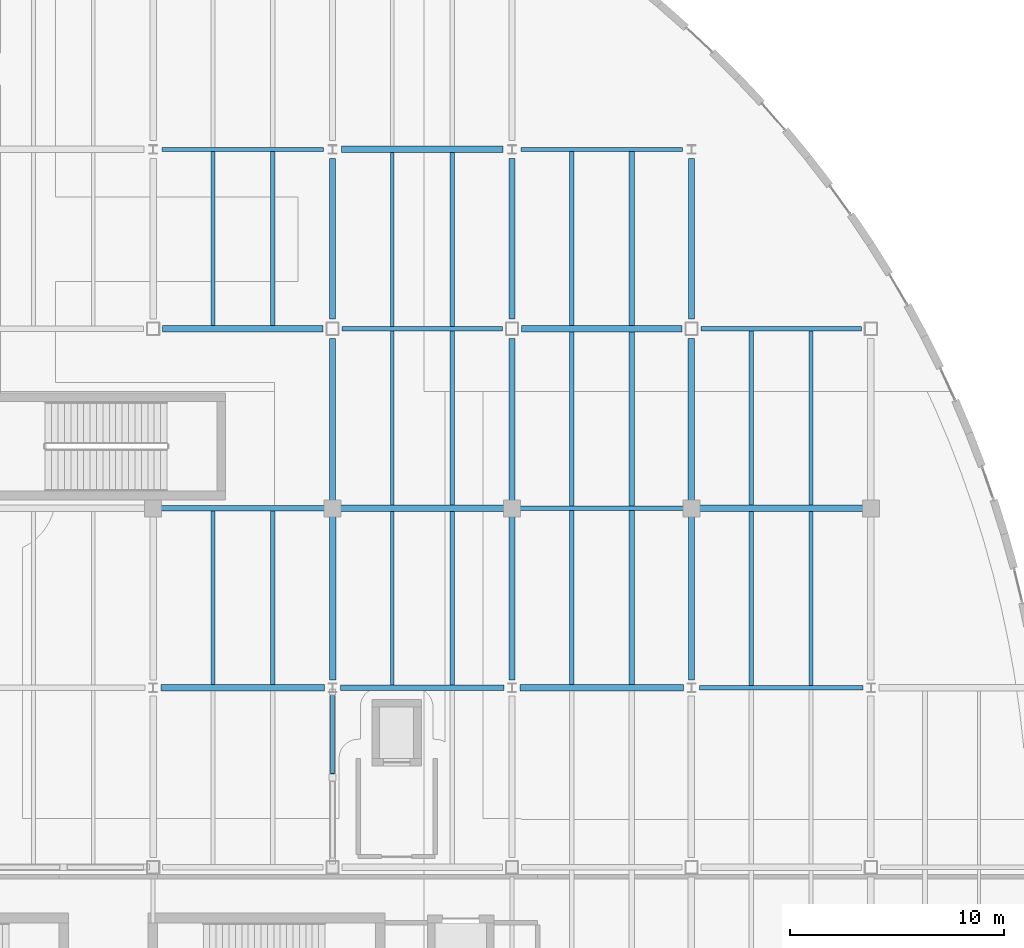
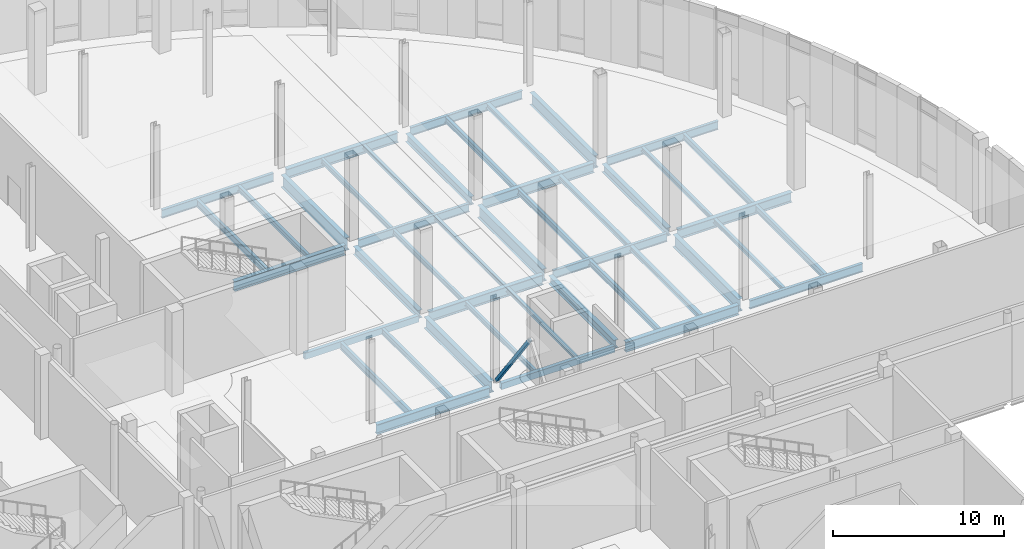
# One storey, part 30 of 85: 44 beams, 1 member.
"""IFC4 building model written with IfcOpenShell, lengths in metres."""

from ifc_helpers import new_model, si_unit, direction, frame, origin, origin_2d, place, context, subcontext, project, spatial, hollow_rectangle, i_section, extrude, material, material_profile, profile_set, type_object, element, save


model = new_model("IFC4")

# Units and contexts
model_context = context("Model", 3, precision=1e-05, world=origin(), true_north=direction((0.0, 1.0)))
body_context = subcontext(model_context, "Body", "Model", "MODEL_VIEW")
ifc_project = project(units=[si_unit("LENGTHUNIT", "METRE"), si_unit("AREAUNIT", "SQUARE_METRE"), si_unit("VOLUMEUNIT", "CUBIC_METRE"), si_unit("PLANEANGLEUNIT", "RADIAN"), si_unit("MASSUNIT", "GRAM", prefix="KILO"), si_unit("THERMODYNAMICTEMPERATUREUNIT", "KELVIN")], contexts=[model_context])

# Site, building, storey
site_placement = place(None, origin())
site = spatial("IfcSite", under=ifc_project, at=site_placement, CompositionType="ELEMENT")
building_placement = place(site_placement, origin())
building = spatial("IfcBuilding", under=site, at=building_placement, Name="Lustrewick Department Store", CompositionType="ELEMENT")
storey_placement = place(building_placement, origin())
storey = spatial("IfcBuildingStorey", under=building, at=storey_placement, Name="L01", CompositionType="ELEMENT", Elevation=0.0)

# Beams
ifc_material_1 = material(Name="Structural steel Q355B", Category="steel")
ifc_material_profile_1 = material_profile(ifc_material_1, i_section(OverallWidth=0.199951171875, OverallDepth=0.5, WebThickness=0.010009765625, FlangeThickness=0.01611328125, FilletRadius=0.01611328125, at=origin_2d()), Name="HN 500x200x10x16")
ifc_profile_set_1 = profile_set([ifc_material_profile_1], Name="Structural steel Q355B")
beam_type_1 = type_object("IfcBeamType", Name="B01", PredefinedType="JOIST", material=ifc_profile_set_1)
beam_1_placement = place(storey_placement, frame((128.800048828125, 67.35107421875, -0.52001953125), z_axis=(0.0, 1.0, 0.0), x_axis=(-1.0, 0.0, 0.0)))
element("IfcBeam", 1, at=beam_1_placement, inside=storey, type_object=beam_type_1, Name="L01 V4 Secondary Joist B01", PredefinedType="JOIST", context=body_context, shape_type="SweptSolid", body=[
    extrude(i_section(OverallWidth=0.199951171875, OverallDepth=0.5, WebThickness=0.010009765625, FlangeThickness=0.01611328125, FilletRadius=0.01611328125, at=origin_2d()), origin(), (0.0, 0.0, 1.0), 8.1240234375),
])
beam_2_placement = place(storey_placement, frame((128.800048828125, 84.15087890625, -0.52001953125), z_axis=(0.0, 1.0, 0.0), x_axis=(-1.0, 0.0, 0.0)))
element("IfcBeam", 2, at=beam_2_placement, inside=storey, type_object=beam_type_1, Name="L01 V4 Secondary Joist B01", PredefinedType="JOIST", context=body_context, shape_type="SweptSolid", body=[
    extrude(i_section(OverallWidth=0.199951171875, OverallDepth=0.5, WebThickness=0.010009765625, FlangeThickness=0.01611328125, FilletRadius=0.01611328125, at=origin_2d()), origin(), (0.0, 0.0, 1.0), 8.149658203125),
])
ifc_material_profile_2 = material_profile(ifc_material_1, i_section(OverallWidth=0.198974609375, OverallDepth=0.446044921875, WebThickness=0.008056640625, FlangeThickness=0.011962890625, FilletRadius=0.01611328125, at=origin_2d()), Name="HN 446x199x8x12")
ifc_profile_set_2 = profile_set([ifc_material_profile_2], Name="Structural steel Q355B")
beam_type_2 = type_object("IfcBeamType", Name="B04", PredefinedType="JOIST", material=ifc_profile_set_2)
for number, where, z_axis, x_axis, name in (
    (3, (156.800048828125, 67.299560546875, -0.492919921875), (0.0, 1.0, 0.0), (-1.0, 0.0, 0.0), "L01 V4 Secondary Joist B04"),
    (4, (156.800048828125, 75.7509765625, -0.492919921875), (0.0, 1.0, 0.0), (-1.0, 0.0, 0.0), "L01 V4 Secondary Joist B04"),
):
    element("IfcBeam", number, at=place(storey_placement, frame(where, z_axis=z_axis, x_axis=x_axis)), inside=storey, type_object=beam_type_2, Name=name, PredefinedType="JOIST", context=body_context, shape_type="SweptSolid", body=[
        extrude(i_section(OverallWidth=0.198974609375, OverallDepth=0.446044921875, WebThickness=0.008056640625, FlangeThickness=0.011962890625, FilletRadius=0.01611328125, at=origin_2d()), origin(), (0.0, 0.0, 1.0), 8.1494140625),
    ])
ifc_material_profile_3 = material_profile(ifc_material_1, i_section(OverallWidth=0.199951171875, OverallDepth=0.39990234375, WebThickness=0.008056640625, FlangeThickness=0.012939453125, FilletRadius=0.013916015625, at=origin_2d()), Name="HN 400x200x8x13")
ifc_profile_set_3 = profile_set([ifc_material_profile_3], Name="Structural steel Q355B")
beam_type_3 = type_object("IfcBeamType", Name="B05", PredefinedType="JOIST", material=ifc_profile_set_3)
beam_3_placement = place(storey_placement, frame((131.60009765625, 67.35107421875, -0.469970703125), z_axis=(0.0, 1.0, 0.0), x_axis=(-1.0, 0.0, 0.0)))
element("IfcBeam", 5, at=beam_3_placement, inside=storey, type_object=beam_type_3, Name="L01 V4 Secondary Joist B05", PredefinedType="JOIST", context=body_context, shape_type="SweptSolid", body=[
    extrude(i_section(OverallWidth=0.199951171875, OverallDepth=0.39990234375, WebThickness=0.008056640625, FlangeThickness=0.012939453125, FilletRadius=0.013916015625, at=origin_2d()), origin(), (0.0, 0.0, 1.0), 8.1240234375),
])
beam_4_placement = place(storey_placement, frame((145.60009765625, 67.35107421875, -0.469970703125), z_axis=(0.0, 1.0, 0.0), x_axis=(-1.0, 0.0, 0.0)))
element("IfcBeam", 6, at=beam_4_placement, inside=storey, type_object=beam_type_3, Name="L01 V4 Secondary Joist B05", PredefinedType="JOIST", context=body_context, shape_type="SweptSolid", body=[
    extrude(i_section(OverallWidth=0.199951171875, OverallDepth=0.39990234375, WebThickness=0.008056640625, FlangeThickness=0.012939453125, FilletRadius=0.013916015625, at=origin_2d()), origin(), (0.0, 0.0, 1.0), 8.1494140625),
])
for number, where, z_axis, x_axis, name in (
    (7, (145.60009765625, 75.699462890625, -0.469970703125), (0.0, 1.0, 0.0), (-1.0, 0.0, 0.0), "L01 V4 Secondary Joist B05"),
    (8, (131.60009765625, 84.15087890625, -0.469970703125), (0.0, 1.0, 0.0), (-1.0, 0.0, 0.0), "L01 V4 Secondary Joist B05"),
    (9, (145.60009765625, 84.15087890625, -0.469970703125), (0.0, 1.0, 0.0), (-1.0, 0.0, 0.0), "L01 V4 Secondary Joist B05"),
):
    element("IfcBeam", number, at=place(storey_placement, frame(where, z_axis=z_axis, x_axis=x_axis)), inside=storey, type_object=beam_type_3, Name=name, PredefinedType="JOIST", context=body_context, shape_type="SweptSolid", body=[
        extrude(i_section(OverallWidth=0.199951171875, OverallDepth=0.39990234375, WebThickness=0.008056640625, FlangeThickness=0.012939453125, FilletRadius=0.013916015625, at=origin_2d()), origin(), (0.0, 0.0, 1.0), 8.149658203125),
    ])
ifc_material_profile_4 = material_profile(ifc_material_1, i_section(OverallWidth=0.25, OverallDepth=0.340087890625, WebThickness=0.009033203125, FlangeThickness=0.013916015625, FilletRadius=0.01611328125, at=origin_2d()), Name="HM 340x250x9x14")
ifc_profile_set_4 = profile_set([ifc_material_profile_4], Name="Structural steel Q355B")
beam_type_4 = type_object("IfcBeamType", Name="B08", PredefinedType="JOIST", material=ifc_profile_set_4)
beam_5_placement = place(storey_placement, frame((148.39990234375, 67.35107421875, -0.43994140625), z_axis=(0.0, 1.0, 0.0), x_axis=(-1.0, 0.0, 0.0)))
element("IfcBeam", 10, at=beam_5_placement, inside=storey, type_object=beam_type_4, Name="L01 V4 Secondary Joist B08", PredefinedType="JOIST", context=body_context, shape_type="SweptSolid", body=[
    extrude(i_section(OverallWidth=0.25, OverallDepth=0.340087890625, WebThickness=0.009033203125, FlangeThickness=0.013916015625, FilletRadius=0.01611328125, at=origin_2d()), origin(), (0.0, 0.0, 1.0), 8.1494140625),
])
for number, where, z_axis, x_axis, name in (
    (11, (148.39990234375, 75.699462890625, -0.43994140625), (0.0, 1.0, 0.0), (-1.0, 0.0, 0.0), "L01 V4 Secondary Joist B08"),
    (12, (148.39990234375, 84.15087890625, -0.43994140625), (0.0, 1.0, 0.0), (-1.0, 0.0, 0.0), "L01 V4 Secondary Joist B08"),
):
    element("IfcBeam", number, at=place(storey_placement, frame(where, z_axis=z_axis, x_axis=x_axis)), inside=storey, type_object=beam_type_4, Name=name, PredefinedType="JOIST", context=body_context, shape_type="SweptSolid", body=[
        extrude(i_section(OverallWidth=0.25, OverallDepth=0.340087890625, WebThickness=0.009033203125, FlangeThickness=0.013916015625, FilletRadius=0.01611328125, at=origin_2d()), origin(), (0.0, 0.0, 1.0), 8.149658203125),
    ])
ifc_material_profile_5 = material_profile(ifc_material_1, i_section(OverallWidth=0.175048828125, OverallDepth=0.35009765625, WebThickness=0.007080078125, FlangeThickness=0.010986328125, FilletRadius=0.012939453125, at=origin_2d()), Name="HN 350x175x7x11")
ifc_profile_set_5 = profile_set([ifc_material_profile_5], Name="Structural steel Q355B")
beam_type_5 = type_object("IfcBeamType", Name="B09", PredefinedType="JOIST", material=ifc_profile_set_5)
beam_6_placement = place(storey_placement, frame((137.199951171875, 67.324951171875, -0.445068359375), z_axis=(0.0, 1.0, 0.0), x_axis=(-1.0, 0.0, 0.0)))
element("IfcBeam", 13, at=beam_6_placement, inside=storey, type_object=beam_type_5, Name="L01 V4 Secondary Joist B09", PredefinedType="JOIST", context=body_context, shape_type="SweptSolid", body=[
    extrude(i_section(OverallWidth=0.175048828125, OverallDepth=0.35009765625, WebThickness=0.007080078125, FlangeThickness=0.010986328125, FilletRadius=0.012939453125, at=origin_2d()), origin(), (0.0, 0.0, 1.0), 8.1240234375),
])
for number, where, z_axis, x_axis, name in (
    (14, (137.199951171875, 75.7509765625, -0.445068359375), (0.0, 1.0, 0.0), (-1.0, 0.0, 0.0), "L01 V4 Secondary Joist B09"),
    (15, (137.199951171875, 84.099609375, -0.445068359375), (0.0, 1.0, 0.0), (-1.0, 0.0, 0.0), "L01 V4 Secondary Joist B09"),
):
    element("IfcBeam", number, at=place(storey_placement, frame(where, z_axis=z_axis, x_axis=x_axis)), inside=storey, type_object=beam_type_5, Name=name, PredefinedType="JOIST", context=body_context, shape_type="SweptSolid", body=[
        extrude(i_section(OverallWidth=0.175048828125, OverallDepth=0.35009765625, WebThickness=0.007080078125, FlangeThickness=0.010986328125, FilletRadius=0.012939453125, at=origin_2d()), origin(), (0.0, 0.0, 1.0), 8.1494140625),
    ])
ifc_material_profile_6 = material_profile(ifc_material_1, i_section(OverallWidth=0.199951171875, OverallDepth=0.2939453125, WebThickness=0.008056640625, FlangeThickness=0.011962890625, FilletRadius=0.013916015625, at=origin_2d()), Name="HM 294x200x8x12")
ifc_profile_set_6 = profile_set([ifc_material_profile_6], Name="Structural steel Q355B")
beam_type_6 = type_object("IfcBeamType", Name="B13", PredefinedType="JOIST", material=ifc_profile_set_6)
beam_7_placement = place(storey_placement, frame((140.0, 67.324951171875, -0.4169921875), z_axis=(0.0, 1.0, 0.0), x_axis=(-1.0, 0.0, 0.0)))
element("IfcBeam", 16, at=beam_7_placement, inside=storey, type_object=beam_type_6, Name="L01 V4 Secondary Joist B13", PredefinedType="JOIST", context=body_context, shape_type="SweptSolid", body=[
    extrude(i_section(OverallWidth=0.199951171875, OverallDepth=0.2939453125, WebThickness=0.008056640625, FlangeThickness=0.011962890625, FilletRadius=0.013916015625, at=origin_2d()), origin(), (0.0, 0.0, 1.0), 8.1240234375),
])
for number, where, z_axis, x_axis, name in (
    (17, (154.0, 67.299560546875, -0.4169921875), (0.0, 1.0, 0.0), (-1.0, 0.0, 0.0), "L01 V4 Secondary Joist B13"),
    (18, (140.0, 75.7509765625, -0.4169921875), (0.0, 1.0, 0.0), (-1.0, 0.0, 0.0), "L01 V4 Secondary Joist B13"),
    (19, (154.0, 75.7509765625, -0.4169921875), (0.0, 1.0, 0.0), (-1.0, 0.0, 0.0), "L01 V4 Secondary Joist B13"),
    (20, (140.0, 84.099609375, -0.4169921875), (0.0, 1.0, 0.0), (-1.0, 0.0, 0.0), "L01 V4 Secondary Joist B13"),
):
    element("IfcBeam", number, at=place(storey_placement, frame(where, z_axis=z_axis, x_axis=x_axis)), inside=storey, type_object=beam_type_6, Name=name, PredefinedType="JOIST", context=body_context, shape_type="SweptSolid", body=[
        extrude(i_section(OverallWidth=0.199951171875, OverallDepth=0.2939453125, WebThickness=0.008056640625, FlangeThickness=0.011962890625, FilletRadius=0.013916015625, at=origin_2d()), origin(), (0.0, 0.0, 1.0), 8.1494140625),
    ])

# Member
ifc_material_profile_7 = material_profile(ifc_material_1, hollow_rectangle(XDim=0.199951171875, YDim=0.199951171875, WallThickness=0.010009765625, at=origin_2d()), Name="SHS 200x200x10")
ifc_profile_set_7 = profile_set([ifc_material_profile_7], Name="Structural steel Q355B")
member_type = type_object("IfcMemberType", Name="BR09", PredefinedType="BRACE", material=ifc_profile_set_7)
member_placement = place(storey_placement, frame((134.39990234375, 67.0, 0.14990234375), z_axis=(0.0, -0.596671928583, 0.802485270669), x_axis=(1.0, 0.0, 0.0)))
element("IfcMember", 21, at=member_placement, inside=storey, type_object=member_type, Name="L01 V4 Chevron Brace BR09", PredefinedType="BRACE", context=body_context, shape_type="SweptSolid", body=[
    extrude(hollow_rectangle(XDim=0.199951171875, YDim=0.199951171875, WallThickness=0.010009765625, at=origin_2d()), origin(), (0.0, 0.0, 1.0), 6.5361328125),
])

# Beams
ifc_material_2 = material(Name="Structural steel Q355C", Category="steel")
ifc_material_profile_8 = material_profile(ifc_material_2, i_section(OverallWidth=0.299072265625, OverallDepth=0.889892578125, WebThickness=0.014892578125, FlangeThickness=0.02294921875, FilletRadius=0.02392578125, at=origin_2d()), Name="HN 890x299x15x23")
ifc_profile_set_8 = profile_set([ifc_material_profile_8], Name="Structural steel Q355C")
beam_type_7 = type_object("IfcBeamType", Name="G03", PredefinedType="BEAM", material=ifc_profile_set_8)
beam_8_placement = place(storey_placement, frame((134.39990234375, 84.449951171875, -0.715087890625), z_axis=(0.0, 1.0, 0.0), x_axis=(-1.0, 0.0, 0.0)))
element("IfcBeam", 22, at=beam_8_placement, inside=storey, type_object=beam_type_7, Name="L01 V4 Girder G03", PredefinedType="BEAM", context=body_context, shape_type="SweptSolid", body=[
    extrude(i_section(OverallWidth=0.299072265625, OverallDepth=0.889892578125, WebThickness=0.014892578125, FlangeThickness=0.02294921875, FilletRadius=0.02392578125, at=origin_2d()), origin(), (0.0, 0.0, 1.0), 7.525146484375),
])
beam_9_placement = place(storey_placement, frame((142.800048828125, 75.949951171875, -0.715087890625), z_axis=(0.0, 1.0, 0.0), x_axis=(-1.0, 0.0, 0.0)))
element("IfcBeam", 23, at=beam_9_placement, inside=storey, type_object=beam_type_7, Name="L01 V4 Girder G03", PredefinedType="BEAM", context=body_context, shape_type="SweptSolid", body=[
    extrude(i_section(OverallWidth=0.299072265625, OverallDepth=0.889892578125, WebThickness=0.014892578125, FlangeThickness=0.02294921875, FilletRadius=0.02392578125, at=origin_2d()), origin(), (0.0, 0.0, 1.0), 7.60009765625),
])
beam_10_placement = place(storey_placement, frame((151.199951171875, 67.574951171875, -0.715087890625), z_axis=(0.0, 1.0, 0.0), x_axis=(-1.0, 0.0, 0.0)))
element("IfcBeam", 24, at=beam_10_placement, inside=storey, type_object=beam_type_7, Name="L01 V4 Girder G03", PredefinedType="BEAM", context=body_context, shape_type="SweptSolid", body=[
    extrude(i_section(OverallWidth=0.299072265625, OverallDepth=0.889892578125, WebThickness=0.014892578125, FlangeThickness=0.02294921875, FilletRadius=0.02392578125, at=origin_2d()), origin(), (0.0, 0.0, 1.0), 7.675048828125),
])
beam_11_placement = place(storey_placement, frame((151.199951171875, 84.449951171875, -0.715087890625), z_axis=(0.0, 1.0, 0.0), x_axis=(-1.0, 0.0, 0.0)))
element("IfcBeam", 25, at=beam_11_placement, inside=storey, type_object=beam_type_7, Name="L01 V4 Girder G03", PredefinedType="BEAM", context=body_context, shape_type="SweptSolid", body=[
    extrude(i_section(OverallWidth=0.299072265625, OverallDepth=0.889892578125, WebThickness=0.014892578125, FlangeThickness=0.02294921875, FilletRadius=0.02392578125, at=origin_2d()), origin(), (0.0, 0.0, 1.0), 7.525146484375),
])
ifc_material_profile_9 = material_profile(ifc_material_2, i_section(OverallWidth=0.302001953125, OverallDepth=0.80810546875, WebThickness=0.01611328125, FlangeThickness=0.030029296875, FilletRadius=0.02197265625, at=origin_2d()), Name="HN 808x302x16x30")
ifc_profile_set_9 = profile_set([ifc_material_profile_9], Name="Structural steel Q355C")
beam_type_8 = type_object("IfcBeamType", Name="G04", PredefinedType="BEAM", material=ifc_profile_set_9)
beam_12_placement = place(storey_placement, frame((134.39990234375, 67.574951171875, -0.674072265625), z_axis=(0.0, 1.0, 0.0), x_axis=(-1.0, 0.0, 0.0)))
element("IfcBeam", 26, at=beam_12_placement, inside=storey, type_object=beam_type_8, Name="L01 V4 Girder G04", PredefinedType="BEAM", context=body_context, shape_type="SweptSolid", body=[
    extrude(i_section(OverallWidth=0.302001953125, OverallDepth=0.80810546875, WebThickness=0.01611328125, FlangeThickness=0.030029296875, FilletRadius=0.02197265625, at=origin_2d()), origin(), (0.0, 0.0, 1.0), 7.675048828125),
])
ifc_material_profile_10 = material_profile(ifc_material_2, i_section(OverallWidth=0.302001953125, OverallDepth=0.7080078125, WebThickness=0.014892578125, FlangeThickness=0.028076171875, FilletRadius=0.02001953125, at=origin_2d()), Name="HN 708x302x15x28")
ifc_profile_set_10 = profile_set([ifc_material_profile_10], Name="Structural steel Q355C")
beam_type_9 = type_object("IfcBeamType", Name="G07", PredefinedType="BEAM", material=ifc_profile_set_10)
for number, where, z_axis, x_axis, name in (
    (27, (126.375, 67.199951171875, -0.6240234375), (1.0, 0.0, 0.0), (0.0, 1.0, 0.0), "L01 V4 Girder G07"),
    (28, (143.175048828125, 67.199951171875, -0.6240234375), (1.0, 0.0, 0.0), (0.0, 1.0, 0.0), "L01 V4 Girder G07"),
):
    element("IfcBeam", number, at=place(storey_placement, frame(where, z_axis=z_axis, x_axis=x_axis)), inside=storey, type_object=beam_type_9, Name=name, PredefinedType="BEAM", context=body_context, shape_type="SweptSolid", body=[
        extrude(i_section(OverallWidth=0.302001953125, OverallDepth=0.7080078125, WebThickness=0.014892578125, FlangeThickness=0.028076171875, FilletRadius=0.02001953125, at=origin_2d()), origin(), (0.0, 0.0, 1.0), 7.64990234375),
    ])
for number, where, z_axis, x_axis, name in (
    (29, (134.75, 75.60009765625, -0.6240234375), (1.0, 0.0, 0.0), (0.0, 1.0, 0.0), "L01 V4 Girder G07"),
    (30, (151.550048828125, 75.60009765625, -0.6240234375), (1.0, 0.0, 0.0), (0.0, 1.0, 0.0), "L01 V4 Girder G07"),
):
    element("IfcBeam", number, at=place(storey_placement, frame(where, z_axis=z_axis, x_axis=x_axis)), inside=storey, type_object=beam_type_9, Name=name, PredefinedType="BEAM", context=body_context, shape_type="SweptSolid", body=[
        extrude(i_section(OverallWidth=0.302001953125, OverallDepth=0.7080078125, WebThickness=0.014892578125, FlangeThickness=0.028076171875, FilletRadius=0.02001953125, at=origin_2d()), origin(), (0.0, 0.0, 1.0), 7.699951171875),
    ])
for number, where, z_axis, x_axis, name in (
    (31, (126.449951171875, 84.0, -0.6240234375), (1.0, 0.0, 0.0), (0.0, 1.0, 0.0), "L01 V4 Girder G07"),
    (32, (143.25, 84.0, -0.6240234375), (1.0, 0.0, 0.0), (0.0, 1.0, 0.0), "L01 V4 Girder G07"),
):
    element("IfcBeam", number, at=place(storey_placement, frame(where, z_axis=z_axis, x_axis=x_axis)), inside=storey, type_object=beam_type_9, Name=name, PredefinedType="BEAM", context=body_context, shape_type="SweptSolid", body=[
        extrude(i_section(OverallWidth=0.302001953125, OverallDepth=0.7080078125, WebThickness=0.014892578125, FlangeThickness=0.028076171875, FilletRadius=0.02001953125, at=origin_2d()), origin(), (0.0, 0.0, 1.0), 7.5),
    ])
beam_13_placement = place(storey_placement, frame((134.824951171875, 92.39990234375, -0.6240234375), z_axis=(1.0, 0.0, 0.0), x_axis=(0.0, 1.0, 0.0)))
element("IfcBeam", 33, at=beam_13_placement, inside=storey, type_object=beam_type_9, Name="L01 V4 Girder G07", PredefinedType="BEAM", context=body_context, shape_type="SweptSolid", body=[
    extrude(i_section(OverallWidth=0.302001953125, OverallDepth=0.7080078125, WebThickness=0.014892578125, FlangeThickness=0.028076171875, FilletRadius=0.02001953125, at=origin_2d()), origin(), (0.0, 0.0, 1.0), 7.550048828125),
])
ifc_material_profile_11 = material_profile(ifc_material_1, i_section(OverallWidth=0.300048828125, OverallDepth=0.58203125, WebThickness=0.011962890625, FlangeThickness=0.01708984375, FilletRadius=0.02392578125, at=origin_2d()), Name="HM 582x300x12x17")
ifc_profile_set_11 = profile_set([ifc_material_profile_11], Name="Structural steel Q355B")
beam_type_10 = type_object("IfcBeamType", Name="G12", PredefinedType="BEAM", material=ifc_profile_set_11)
beam_14_placement = place(storey_placement, frame((134.39990234375, 75.949951171875, -0.56103515625), z_axis=(0.0, 1.0, 0.0), x_axis=(-1.0, 0.0, 0.0)))
element("IfcBeam", 34, at=beam_14_placement, inside=storey, type_object=beam_type_10, Name="L01 V4 Girder G12", PredefinedType="BEAM", context=body_context, shape_type="SweptSolid", body=[
    extrude(i_section(OverallWidth=0.300048828125, OverallDepth=0.58203125, WebThickness=0.011962890625, FlangeThickness=0.01708984375, FilletRadius=0.02392578125, at=origin_2d()), origin(), (0.0, 0.0, 1.0), 7.60009765625),
])
beam_15_placement = place(storey_placement, frame((142.800048828125, 67.574951171875, -0.56103515625), z_axis=(0.0, 1.0, 0.0), x_axis=(-1.0, 0.0, 0.0)))
element("IfcBeam", 35, at=beam_15_placement, inside=storey, type_object=beam_type_10, Name="L01 V4 Girder G12", PredefinedType="BEAM", context=body_context, shape_type="SweptSolid", body=[
    extrude(i_section(OverallWidth=0.300048828125, OverallDepth=0.58203125, WebThickness=0.011962890625, FlangeThickness=0.01708984375, FilletRadius=0.02392578125, at=origin_2d()), origin(), (0.0, 0.0, 1.0), 7.675048828125),
])
beam_16_placement = place(storey_placement, frame((142.800048828125, 84.449951171875, -0.56103515625), z_axis=(0.0, 1.0, 0.0), x_axis=(-1.0, 0.0, 0.0)))
element("IfcBeam", 36, at=beam_16_placement, inside=storey, type_object=beam_type_10, Name="L01 V4 Girder G12", PredefinedType="BEAM", context=body_context, shape_type="SweptSolid", body=[
    extrude(i_section(OverallWidth=0.300048828125, OverallDepth=0.58203125, WebThickness=0.011962890625, FlangeThickness=0.01708984375, FilletRadius=0.02392578125, at=origin_2d()), origin(), (0.0, 0.0, 1.0), 7.525146484375),
])
beam_17_placement = place(storey_placement, frame((151.199951171875, 75.949951171875, -0.56103515625), z_axis=(0.0, 1.0, 0.0), x_axis=(-1.0, 0.0, 0.0)))
element("IfcBeam", 37, at=beam_17_placement, inside=storey, type_object=beam_type_10, Name="L01 V4 Girder G12", PredefinedType="BEAM", context=body_context, shape_type="SweptSolid", body=[
    extrude(i_section(OverallWidth=0.300048828125, OverallDepth=0.58203125, WebThickness=0.011962890625, FlangeThickness=0.01708984375, FilletRadius=0.02392578125, at=origin_2d()), origin(), (0.0, 0.0, 1.0), 7.60009765625),
])
ifc_material_profile_12 = material_profile(ifc_material_1, i_section(OverallWidth=0.198974609375, OverallDepth=0.595947265625, WebThickness=0.010009765625, FlangeThickness=0.014892578125, FilletRadius=0.01806640625, at=origin_2d()), Name="HN 596x199x10x15")
ifc_profile_set_12 = profile_set([ifc_material_profile_12], Name="Structural steel Q355B")
beam_type_11 = type_object("IfcBeamType", Name="G15", PredefinedType="BEAM", material=ifc_profile_set_12)
beam_18_placement = place(storey_placement, frame((151.574951171875, 67.199951171875, -0.568115234375), z_axis=(1.0, 0.0, 0.0), x_axis=(0.0, 1.0, 0.0)))
element("IfcBeam", 38, at=beam_18_placement, inside=storey, type_object=beam_type_11, Name="L01 V4 Girder G15", PredefinedType="BEAM", context=body_context, shape_type="SweptSolid", body=[
    extrude(i_section(OverallWidth=0.198974609375, OverallDepth=0.595947265625, WebThickness=0.010009765625, FlangeThickness=0.014892578125, FilletRadius=0.01806640625, at=origin_2d()), origin(), (0.0, 0.0, 1.0), 7.650146484375),
])
beam_19_placement = place(storey_placement, frame((143.14990234375, 75.60009765625, -0.568115234375), z_axis=(1.0, 0.0, 0.0), x_axis=(0.0, 1.0, 0.0)))
element("IfcBeam", 39, at=beam_19_placement, inside=storey, type_object=beam_type_11, Name="L01 V4 Girder G15", PredefinedType="BEAM", context=body_context, shape_type="SweptSolid", body=[
    extrude(i_section(OverallWidth=0.198974609375, OverallDepth=0.595947265625, WebThickness=0.010009765625, FlangeThickness=0.014892578125, FilletRadius=0.01806640625, at=origin_2d()), origin(), (0.0, 0.0, 1.0), 7.7001953125),
])
for number, where, z_axis, x_axis, name in (
    (40, (134.85009765625, 84.0, -0.568115234375), (1.0, 0.0, 0.0), (0.0, 1.0, 0.0), "L01 V4 Girder G15"),
    (41, (151.64990234375, 84.0, -0.568115234375), (1.0, 0.0, 0.0), (0.0, 1.0, 0.0), "L01 V4 Girder G15"),
):
    element("IfcBeam", number, at=place(storey_placement, frame(where, z_axis=z_axis, x_axis=x_axis)), inside=storey, type_object=beam_type_11, Name=name, PredefinedType="BEAM", context=body_context, shape_type="SweptSolid", body=[
        extrude(i_section(OverallWidth=0.198974609375, OverallDepth=0.595947265625, WebThickness=0.010009765625, FlangeThickness=0.014892578125, FilletRadius=0.01806640625, at=origin_2d()), origin(), (0.0, 0.0, 1.0), 7.5),
    ])
beam_20_placement = place(storey_placement, frame((126.425048828125, 92.39990234375, -0.568115234375), z_axis=(1.0, 0.0, 0.0), x_axis=(0.0, 1.0, 0.0)))
element("IfcBeam", 42, at=beam_20_placement, inside=storey, type_object=beam_type_11, Name="L01 V4 Girder G15", PredefinedType="BEAM", context=body_context, shape_type="SweptSolid", body=[
    extrude(i_section(OverallWidth=0.198974609375, OverallDepth=0.595947265625, WebThickness=0.010009765625, FlangeThickness=0.014892578125, FilletRadius=0.01806640625, at=origin_2d()), origin(), (0.0, 0.0, 1.0), 7.550048828125),
])
beam_21_placement = place(storey_placement, frame((143.22509765625, 92.39990234375, -0.568115234375), z_axis=(1.0, 0.0, 0.0), x_axis=(0.0, 1.0, 0.0)))
element("IfcBeam", 43, at=beam_21_placement, inside=storey, type_object=beam_type_11, Name="L01 V4 Girder G15", PredefinedType="BEAM", context=body_context, shape_type="SweptSolid", body=[
    extrude(i_section(OverallWidth=0.198974609375, OverallDepth=0.595947265625, WebThickness=0.010009765625, FlangeThickness=0.014892578125, FilletRadius=0.01806640625, at=origin_2d()), origin(), (0.0, 0.0, 1.0), 7.5498046875),
])
ifc_material_profile_13 = material_profile(ifc_material_2, hollow_rectangle(XDim=0.25, YDim=0.449951171875, WallThickness=0.013916015625, at=origin_2d()), Name="RHS 450x250x14")
ifc_profile_set_13 = profile_set([ifc_material_profile_13], Name="Structural steel Q355C")
beam_type_12 = type_object("IfcBeamType", Name="G18", PredefinedType="BEAM", material=ifc_profile_set_13)
beam_22_placement = place(storey_placement, frame((134.77490234375, 67.199951171875, -0.4951171875), z_axis=(1.0, 0.0, 0.0), x_axis=(0.0, 1.0, 0.0)))
element("IfcBeam", 44, at=beam_22_placement, inside=storey, type_object=beam_type_12, Name="L01 V4 Girder G18", PredefinedType="BEAM", context=body_context, shape_type="SweptSolid", body=[
    extrude(hollow_rectangle(XDim=0.25, YDim=0.449951171875, WallThickness=0.013916015625, at=origin_2d()), origin(), (0.0, 0.0, 1.0), 7.650146484375),
])
beam_23_placement = place(storey_placement, frame((126.35009765625, 75.60009765625, -0.4951171875), z_axis=(1.0, 0.0, 0.0), x_axis=(0.0, 1.0, 0.0)))
element("IfcBeam", 45, at=beam_23_placement, inside=storey, type_object=beam_type_12, Name="L01 V4 Girder G18", PredefinedType="BEAM", context=body_context, shape_type="SweptSolid", body=[
    extrude(hollow_rectangle(XDim=0.25, YDim=0.449951171875, WallThickness=0.013916015625, at=origin_2d()), origin(), (0.0, 0.0, 1.0), 7.699951171875),
])

save(model, "model.ifc")
